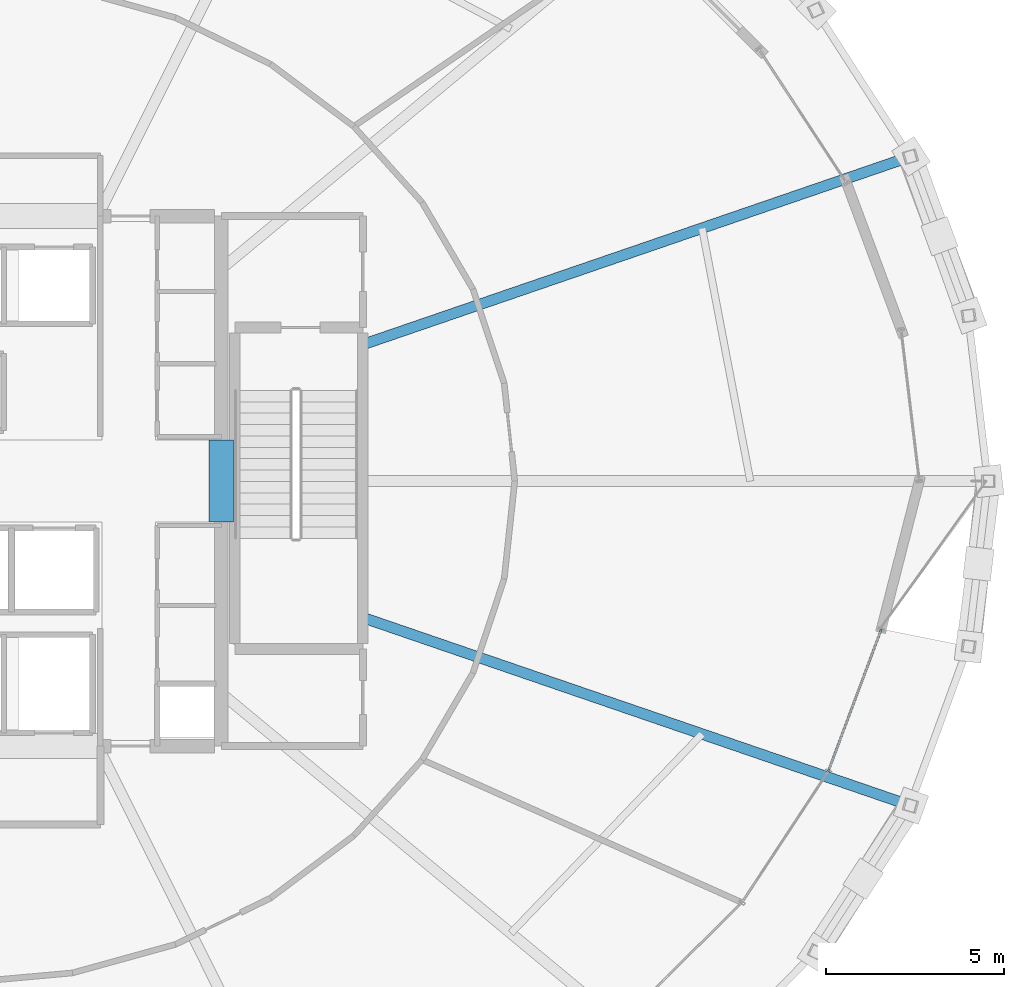
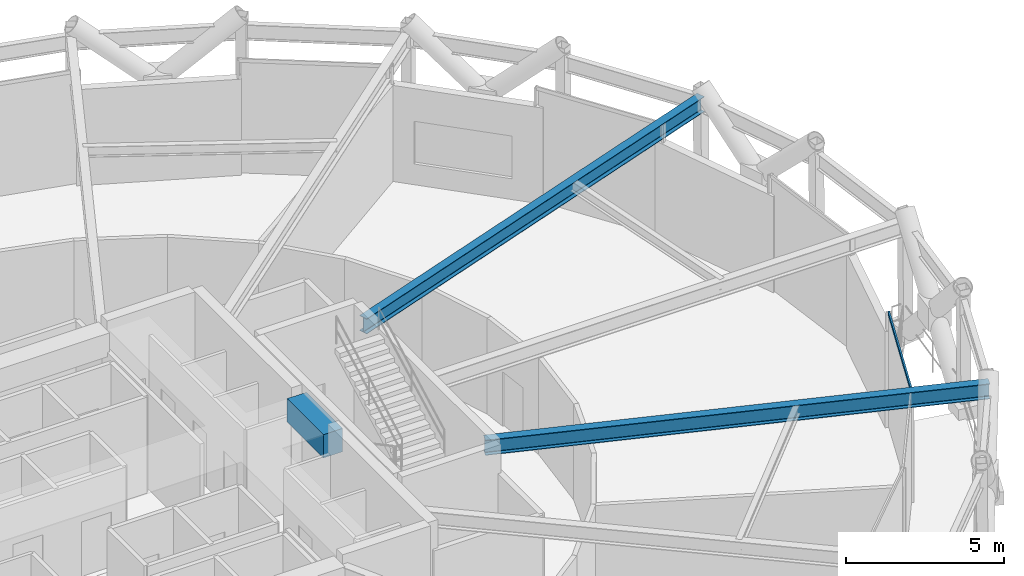
# One storey, part 16 of 39: 3 beams, 1 member, 1 element without a shape of its own.
"""IFC4 building model written with IfcOpenShell, lengths in metres."""

from ifc_helpers import new_model, si_unit, direction, frame, origin, origin_2d, place, context, subcontext, project, spatial, rectangle, hollow_rectangle, i_section, extrude, material, layer, layer_set, material_profile, profile_set, type_object, element, aggregate, save


model = new_model("IFC4")

# Units and contexts
model_context = context("Model", 3, precision=1e-05, world=origin(), true_north=direction((0.0, 1.0)))
body_context = subcontext(model_context, "Body", "Model", "MODEL_VIEW")
ifc_project = project(units=[si_unit("LENGTHUNIT", "METRE"), si_unit("AREAUNIT", "SQUARE_METRE"), si_unit("VOLUMEUNIT", "CUBIC_METRE"), si_unit("PLANEANGLEUNIT", "RADIAN"), si_unit("MASSUNIT", "GRAM", prefix="KILO")], contexts=[model_context])

# Site, building, storey
site_placement = place(None, origin())
site = spatial("IfcSite", under=ifc_project, at=site_placement, CompositionType="ELEMENT")
building_placement = place(site_placement, origin())
building = spatial("IfcBuilding", under=site, at=building_placement, Name="Veldorina Hangang Commons", CompositionType="ELEMENT")
storey_placement = place(building_placement, frame((0.0, 0.0, 106.0)))
storey = spatial("IfcBuildingStorey", under=building, at=storey_placement, Name="L27", CompositionType="ELEMENT", Elevation=106.0)

# Beams
ifc_material_1 = material(Name="Concrete C70/85", Category="concrete")
ifc_material_profile_1 = material_profile(ifc_material_1, rectangle(XDim=0.699951171875, YDim=0.89990234375, at=origin_2d()), Name="RC-CB-700x900")
ifc_profile_set_1 = profile_set([ifc_material_profile_1], Name="Concrete C70/85")
beam_type_1 = type_object("IfcBeamType", Name="BM-CB900", PredefinedType="LINTEL", material=ifc_profile_set_1)
beam_placement = place(storey_placement, frame((39.199951171875, 22.85009765625, 3.989990234375), z_axis=(0.0, 1.0, 0.0), x_axis=(-1.0, 0.0, 0.0)))
element("IfcBeam", 1, at=beam_placement, inside=storey, type_object=beam_type_1, Name="L27 E core coupling lintel beam", PredefinedType="LINTEL", context=body_context, shape_type="SweptSolid", body=[
    extrude(rectangle(XDim=0.699951171875, YDim=0.89990234375, at=origin_2d()), origin(), (0.0, 0.0, 1.0), 2.2998046875),
])
ifc_material_2 = material(Name="Steel SM460-TMC", Category="steel")
ifc_material_profile_2 = material_profile(ifc_material_2, i_section(OverallWidth=0.300048828125, OverallDepth=0.587890625, WebThickness=0.011962890625, FlangeThickness=0.02001953125, FilletRadius=0.01806640625, at=origin_2d()), Name="H-588x300x12x20")
ifc_profile_set_2 = profile_set([ifc_material_profile_2], Name="Steel SM460-TMC")
beam_type_2 = type_object("IfcBeamType", Name="BM-FG588", PredefinedType="BEAM", material=ifc_profile_set_2)
for number, where, z_axis, x_axis, name in (
    (2, (43.179931640625, 27.837646484375, 4.14599609375), (0.945834039523, 0.324650534699, 0.0), (-0.324650534699, 0.945834039523, 0.0), "L27 radial floor girder 02"),
    (3, (43.179931640625, 20.162353515625, 4.14599609375), (0.945834039523, -0.324650534699, 0.0), (0.324650534699, 0.945834039523, 0.0), "L27 radial floor girder 16"),
):
    element("IfcBeam", number, at=place(storey_placement, frame(where, z_axis=z_axis, x_axis=x_axis)), inside=storey, type_object=beam_type_2, Name=name, PredefinedType="BEAM", context=body_context, shape_type="SweptSolid", body=[
        extrude(i_section(OverallWidth=0.300048828125, OverallDepth=0.587890625, WebThickness=0.011962890625, FlangeThickness=0.02001953125, FilletRadius=0.01806640625, at=origin_2d()), origin(), (0.0, 0.0, 1.0), 16.262939453125),
    ])

# Curtain wall, member
ifc_material_3 = material(Name="Glass Acoustic Laminated", Category="glass")
ifc_layer = layer(ifc_material_3, 0.179931640625)
ifc_layer_set = layer_set([ifc_layer], Name="Glass Acoustic Laminated")
curtain_wall_type = type_object("IfcCurtainWallType", Name="CW-SYS-SKY", PredefinedType="NOTDEFINED", material=ifc_layer_set)
curtain_wall_placement = place(storey_placement, origin())
curtain_wall = element("IfcCurtainWall", 4, at=curtain_wall_placement, inside=storey, type_object=curtain_wall_type, Name="L27 unitised curtain wall CW-L27-R12", PredefinedType="NOTDEFINED")
ifc_material_4 = material(Name="Aluminium Anodized AA6063-T6", Category="aluminium")
ifc_material_profile_3 = material_profile(ifc_material_4, hollow_rectangle(XDim=0.06005859375, YDim=0.139892578125, WallThickness=0.00341796875, at=origin_2d()), Name="ALU-RHS-140x60x3.5")
ifc_profile_set_3 = profile_set([ifc_material_profile_3], Name="Aluminium Anodized AA6063-T6")
member_type = type_object("IfcMemberType", Name="CW-TRN-140", PredefinedType="USERDEFINED", material=ifc_profile_set_3)
member_placement = place(storey_placement, frame((56.263916015625, 15.838134765625, 4.360107421875), z_axis=(0.349895307727, 0.936788809514, 0.0), x_axis=(-0.936788809514, 0.349895307727, 0.0)))
member = element("IfcMember", 5, at=member_placement, type_object=member_type, Name="CW-L27-R12 facet 5 transom 1", ObjectType="TRANSOM", PredefinedType="USERDEFINED", context=body_context, shape_type="SweptSolid", body=[
    extrude(hollow_rectangle(XDim=0.06005859375, YDim=0.139892578125, WallThickness=0.00341796875, at=origin_2d()), origin(), (0.0, 0.0, 1.0), 4.27099609375),
])
aggregate(curtain_wall, [member])

save(model, "model.ifc")
